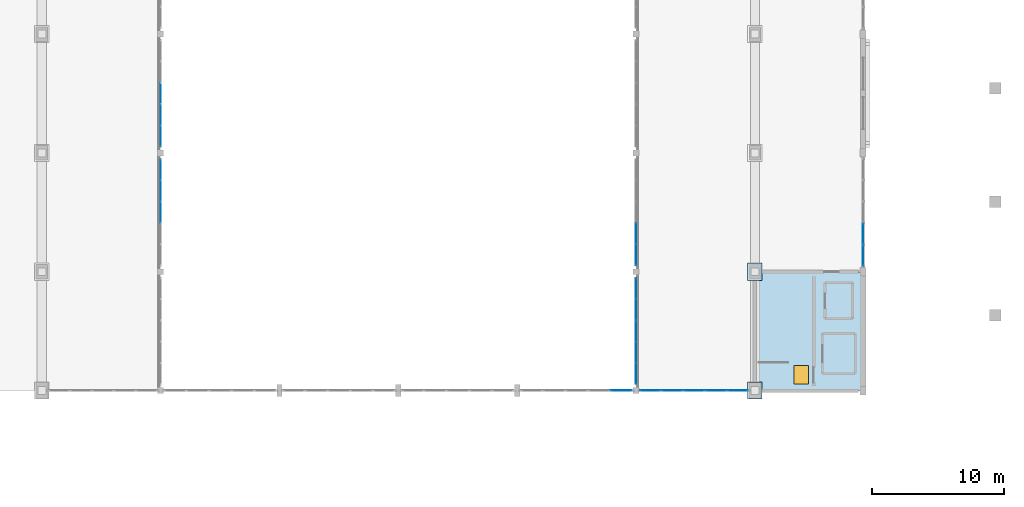
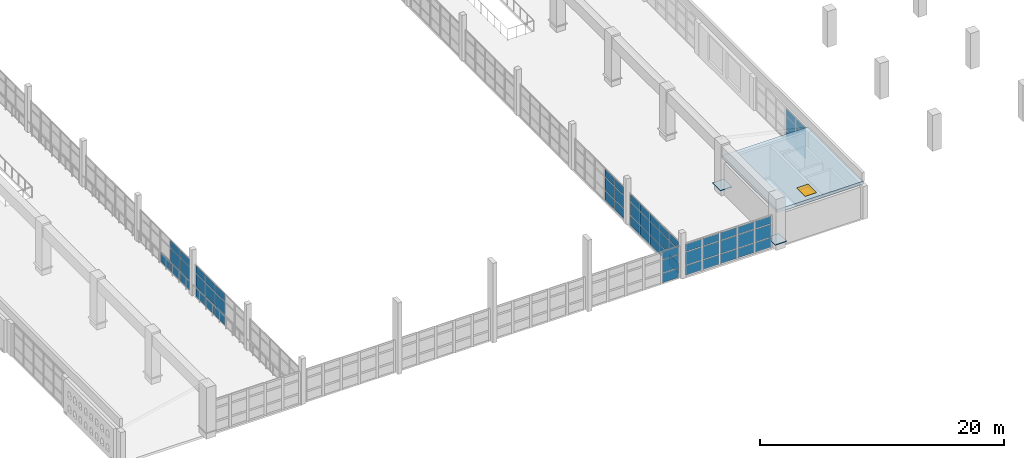
# One storey, part 57 of 80: 63 plates, 1 door, 1 slab, 1 opening, 7 elements without a shape of their own.
"""IFC4 building model written with IfcOpenShell, lengths in metres."""

from ifc_helpers import new_model, si_unit, direction, frame, origin, origin_2d, place, context, subcontext, project, spatial, polyline, rectangle, outline, extrude, material, layer, layer_set, type_object, element, fill, aggregate, save


model = new_model("IFC4")

# Units and contexts
model_context = context("Model", 3, precision=1e-05, world=origin(), true_north=direction((0.0, 1.0)))
body_context = subcontext(model_context, "Body", "Model", "MODEL_VIEW")
ifc_project = project(units=[si_unit("LENGTHUNIT", "METRE"), si_unit("AREAUNIT", "SQUARE_METRE"), si_unit("VOLUMEUNIT", "CUBIC_METRE"), si_unit("PLANEANGLEUNIT", "RADIAN"), si_unit("MASSUNIT", "GRAM", prefix="KILO")], contexts=[model_context])

# Site, building, storey
site_placement = place(None, origin())
site = spatial("IfcSite", under=ifc_project, at=site_placement, CompositionType="ELEMENT")
building_placement = place(site_placement, origin())
building = spatial("IfcBuilding", under=site, at=building_placement, Name="Ornek Quay Market", CompositionType="ELEMENT")
storey_placement = place(building_placement, frame((0.0, 0.0, 8.39990234375)))
storey = spatial("IfcBuildingStorey", under=building, at=storey_placement, Name="L02", CompositionType="ELEMENT", Elevation=8.39990234375)

# Plates
ifc_material_1 = material(Name="Steel S355", Category="steel")
ifc_layer_1 = layer(ifc_material_1, 1.300048828125, Name="Steel S355", Category="steel")
ifc_layer_set_1 = layer_set([ifc_layer_1], Name="Steel S355")
plate_type_1 = type_object("IfcPlateType", Name="PL-ARCH-SHOE-1100x1300x50", PredefinedType="SHEET", material=ifc_layer_set_1)
for number, where, z_axis, x_axis, name in (
    (1, (117.0, 29.0, 0.60009765625), (0.0, 0.0, 1.0), (1.0, 0.0, 0.0), "Arch bearing plate Grid D-E"),
    (2, (117.0, 38.0, 0.60009765625), (0.0, 0.0, 1.0), (1.0, 0.0, 0.0), "Arch bearing plate Grid E-E"),
):
    element("IfcPlate", number, at=place(storey_placement, frame(where, z_axis=z_axis, x_axis=x_axis)), inside=storey, type_object=plate_type_1, Name=name, PredefinedType="SHEET", context=body_context, shape_type="SweptSolid", body=[
        extrude(rectangle(XDim=1.10009765625, YDim=1.300048828125, at=origin_2d()), origin(), (0.0, 0.0, 1.0), 0.050048828125),
    ])

# Curtain wall, plates
ifc_material_2 = material(Name="Anodised bronze aluminium and triple low-e glass", Category="aluminium")
ifc_layer_2 = layer(ifc_material_2, 0.139892578125, Name="Anodised bronze aluminium and triple low-e glass", Category="aluminium")
ifc_layer_set_2 = layer_set([ifc_layer_2], Name="Anodised bronze aluminium and triple low-e glass")
curtain_wall_type_1 = type_object("IfcCurtainWallType", Name="CW-GALLERY-INT", PredefinedType="USERDEFINED", material=ifc_layer_set_2)
curtain_wall_1_placement = place(storey_placement, origin())
curtain_wall_1 = element("IfcCurtainWall", 3, at=curtain_wall_1_placement, inside=storey, type_object=curtain_wall_type_1, Name="Curtain wall CW-110", ObjectType="CURTAIN WALL", PredefinedType="USERDEFINED")
ifc_material_3 = material(Name="Toughened laminated acoustic glass", Category="glass")
ifc_layer_3 = layer(ifc_material_3, 0.01611328125, Name="Toughened laminated acoustic glass", Category="glass")
ifc_layer_set_3 = layer_set([ifc_layer_3], Name="Toughened laminated acoustic glass")
plate_type_2 = type_object("IfcPlateType", Name="PL-CW-INT-16", PredefinedType="CURTAIN_PANEL", material=ifc_layer_set_3)
plate_1_placement = place(storey_placement, frame((72.0, 42.5, 0.06005859375), z_axis=(0.0, 0.0, 1.0), x_axis=(0.0, 1.0, 0.0)))
plate_1 = element("IfcPlate", 4, at=plate_1_placement, type_object=plate_type_2, Name="CW-110 panel 3.1", PredefinedType="CURTAIN_PANEL", context=body_context, shape_type="SweptSolid", body=[
    extrude(rectangle(XDim=1.56005859375, YDim=0.01611328125, at=origin_2d()), origin(), (0.0, 0.0, 1.0), 0.9599609375),
])
plate_2_placement = place(storey_placement, frame((72.0, 42.5, 1.080078125), z_axis=(0.0, 0.0, 1.0), x_axis=(0.0, 1.0, 0.0)))
plate_2 = element("IfcPlate", 5, at=plate_2_placement, type_object=plate_type_2, Name="CW-110 panel 3.2", PredefinedType="CURTAIN_PANEL", context=body_context, shape_type="SweptSolid", body=[
    extrude(rectangle(XDim=1.56005859375, YDim=0.01611328125, at=origin_2d()), origin(), (0.0, 0.0, 1.0), 1.2900390625),
])
plate_3_placement = place(storey_placement, frame((72.0, 42.5, 2.43017578125), z_axis=(0.0, 0.0, 1.0), x_axis=(0.0, 1.0, 0.0)))
plate_3 = element("IfcPlate", 6, at=plate_3_placement, type_object=plate_type_2, Name="CW-110 panel 3.3", PredefinedType="CURTAIN_PANEL", context=body_context, shape_type="SweptSolid", body=[
    extrude(rectangle(XDim=1.56005859375, YDim=0.01611328125, at=origin_2d()), origin(), (0.0, 0.0, 1.0), 0.760009765625),
])
plate_4_placement = place(storey_placement, frame((72.0, 44.1201171875, 0.06005859375), z_axis=(0.0, 0.0, 1.0), x_axis=(0.0, 1.0, 0.0)))
plate_4 = element("IfcPlate", 7, at=plate_4_placement, type_object=plate_type_2, Name="CW-110 panel 4.1", PredefinedType="CURTAIN_PANEL", context=body_context, shape_type="SweptSolid", body=[
    extrude(rectangle(XDim=1.56005859375, YDim=0.01611328125, at=origin_2d()), origin(), (0.0, 0.0, 1.0), 0.9599609375),
])
plate_5_placement = place(storey_placement, frame((72.0, 44.1201171875, 1.080078125), z_axis=(0.0, 0.0, 1.0), x_axis=(0.0, 1.0, 0.0)))
plate_5 = element("IfcPlate", 8, at=plate_5_placement, type_object=plate_type_2, Name="CW-110 panel 4.2", PredefinedType="CURTAIN_PANEL", context=body_context, shape_type="SweptSolid", body=[
    extrude(rectangle(XDim=1.56005859375, YDim=0.01611328125, at=origin_2d()), origin(), (0.0, 0.0, 1.0), 1.2900390625),
])
plate_6_placement = place(storey_placement, frame((72.0, 44.1201171875, 2.43017578125), z_axis=(0.0, 0.0, 1.0), x_axis=(0.0, 1.0, 0.0)))
plate_6 = element("IfcPlate", 9, at=plate_6_placement, type_object=plate_type_2, Name="CW-110 panel 4.3", PredefinedType="CURTAIN_PANEL", context=body_context, shape_type="SweptSolid", body=[
    extrude(rectangle(XDim=1.56005859375, YDim=0.01611328125, at=origin_2d()), origin(), (0.0, 0.0, 1.0), 0.760009765625),
])
plate_7_placement = place(storey_placement, frame((72.0, 45.72509765625, 0.06005859375), z_axis=(0.0, 0.0, 1.0), x_axis=(0.0, 1.0, 0.0)))
plate_7 = element("IfcPlate", 10, at=plate_7_placement, type_object=plate_type_2, Name="CW-110 panel 5.1", PredefinedType="CURTAIN_PANEL", context=body_context, shape_type="SweptSolid", body=[
    extrude(rectangle(XDim=1.530029296875, YDim=0.01611328125, at=origin_2d()), origin(), (0.0, 0.0, 1.0), 0.9599609375),
])
plate_8_placement = place(storey_placement, frame((72.0, 45.72509765625, 1.080078125), z_axis=(0.0, 0.0, 1.0), x_axis=(0.0, 1.0, 0.0)))
plate_8 = element("IfcPlate", 11, at=plate_8_placement, type_object=plate_type_2, Name="CW-110 panel 5.2", PredefinedType="CURTAIN_PANEL", context=body_context, shape_type="SweptSolid", body=[
    extrude(rectangle(XDim=1.530029296875, YDim=0.01611328125, at=origin_2d()), origin(), (0.0, 0.0, 1.0), 1.2900390625),
])
plate_9_placement = place(storey_placement, frame((72.0, 45.72509765625, 2.43017578125), z_axis=(0.0, 0.0, 1.0), x_axis=(0.0, 1.0, 0.0)))
plate_9 = element("IfcPlate", 12, at=plate_9_placement, type_object=plate_type_2, Name="CW-110 panel 5.3", PredefinedType="CURTAIN_PANEL", context=body_context, shape_type="SweptSolid", body=[
    extrude(rectangle(XDim=1.530029296875, YDim=0.01611328125, at=origin_2d()), origin(), (0.0, 0.0, 1.0), 0.760009765625),
])
aggregate(curtain_wall_1, [plate_1, plate_2, plate_3, plate_4, plate_5, plate_6, plate_7, plate_8, plate_9])

curtain_wall_2_placement = place(storey_placement, origin())
curtain_wall_2 = element("IfcCurtainWall", 13, at=curtain_wall_2_placement, inside=storey, type_object=curtain_wall_type_1, Name="Curtain wall CW-111", ObjectType="CURTAIN WALL", PredefinedType="USERDEFINED")
plate_10_placement = place(storey_placement, frame((72.0, 48.27490234375, 0.06005859375), z_axis=(0.0, 0.0, 1.0), x_axis=(0.0, 1.0, 0.0)))
plate_10 = element("IfcPlate", 14, at=plate_10_placement, type_object=plate_type_2, Name="CW-111 panel 1.1", PredefinedType="CURTAIN_PANEL", context=body_context, shape_type="SweptSolid", body=[
    extrude(rectangle(XDim=1.530029296875, YDim=0.01611328125, at=origin_2d()), origin(), (0.0, 0.0, 1.0), 0.9599609375),
])
plate_11_placement = place(storey_placement, frame((72.0, 48.27490234375, 1.080078125), z_axis=(0.0, 0.0, 1.0), x_axis=(0.0, 1.0, 0.0)))
plate_11 = element("IfcPlate", 15, at=plate_11_placement, type_object=plate_type_2, Name="CW-111 panel 1.2", PredefinedType="CURTAIN_PANEL", context=body_context, shape_type="SweptSolid", body=[
    extrude(rectangle(XDim=1.530029296875, YDim=0.01611328125, at=origin_2d()), origin(), (0.0, 0.0, 1.0), 1.2900390625),
])
plate_12_placement = place(storey_placement, frame((72.0, 48.27490234375, 2.43017578125), z_axis=(0.0, 0.0, 1.0), x_axis=(0.0, 1.0, 0.0)))
plate_12 = element("IfcPlate", 16, at=plate_12_placement, type_object=plate_type_2, Name="CW-111 panel 1.3", PredefinedType="CURTAIN_PANEL", context=body_context, shape_type="SweptSolid", body=[
    extrude(rectangle(XDim=1.530029296875, YDim=0.01611328125, at=origin_2d()), origin(), (0.0, 0.0, 1.0), 0.760009765625),
])
plate_13_placement = place(storey_placement, frame((72.0, 49.8798828125, 0.06005859375), z_axis=(0.0, 0.0, 1.0), x_axis=(0.0, 1.0, 0.0)))
plate_13 = element("IfcPlate", 17, at=plate_13_placement, type_object=plate_type_2, Name="CW-111 panel 2.1", PredefinedType="CURTAIN_PANEL", context=body_context, shape_type="SweptSolid", body=[
    extrude(rectangle(XDim=1.56005859375, YDim=0.01611328125, at=origin_2d()), origin(), (0.0, 0.0, 1.0), 0.9599609375),
])
plate_14_placement = place(storey_placement, frame((72.0, 49.8798828125, 1.080078125), z_axis=(0.0, 0.0, 1.0), x_axis=(0.0, 1.0, 0.0)))
plate_14 = element("IfcPlate", 18, at=plate_14_placement, type_object=plate_type_2, Name="CW-111 panel 2.2", PredefinedType="CURTAIN_PANEL", context=body_context, shape_type="SweptSolid", body=[
    extrude(rectangle(XDim=1.56005859375, YDim=0.01611328125, at=origin_2d()), origin(), (0.0, 0.0, 1.0), 1.2900390625),
])
plate_15_placement = place(storey_placement, frame((72.0, 49.8798828125, 2.43017578125), z_axis=(0.0, 0.0, 1.0), x_axis=(0.0, 1.0, 0.0)))
plate_15 = element("IfcPlate", 19, at=plate_15_placement, type_object=plate_type_2, Name="CW-111 panel 2.3", PredefinedType="CURTAIN_PANEL", context=body_context, shape_type="SweptSolid", body=[
    extrude(rectangle(XDim=1.56005859375, YDim=0.01611328125, at=origin_2d()), origin(), (0.0, 0.0, 1.0), 0.760009765625),
])
plate_16_placement = place(storey_placement, frame((72.0, 51.5, 0.06005859375), z_axis=(0.0, 0.0, 1.0), x_axis=(0.0, 1.0, 0.0)))
plate_16 = element("IfcPlate", 20, at=plate_16_placement, type_object=plate_type_2, Name="CW-111 panel 3.1", PredefinedType="CURTAIN_PANEL", context=body_context, shape_type="SweptSolid", body=[
    extrude(rectangle(XDim=1.56005859375, YDim=0.01611328125, at=origin_2d()), origin(), (0.0, 0.0, 1.0), 0.9599609375),
])
aggregate(curtain_wall_2, [plate_10, plate_11, plate_12, plate_13, plate_14, plate_15, plate_16])

curtain_wall_3_placement = place(storey_placement, origin())
curtain_wall_3 = element("IfcCurtainWall", 21, at=curtain_wall_3_placement, inside=storey, type_object=curtain_wall_type_1, Name="Curtain wall CW-115", ObjectType="CURTAIN WALL", PredefinedType="USERDEFINED")
plate_17_placement = place(storey_placement, frame((108.0, 30.27490234375, 0.06005859375), z_axis=(0.0, 0.0, 1.0), x_axis=(0.0, 1.0, 0.0)))
plate_17 = element("IfcPlate", 22, at=plate_17_placement, type_object=plate_type_2, Name="CW-115 panel 1.1", PredefinedType="CURTAIN_PANEL", context=body_context, shape_type="SweptSolid", body=[
    extrude(rectangle(XDim=1.530029296875, YDim=0.01611328125, at=origin_2d()), origin(), (0.0, 0.0, 1.0), 0.9599609375),
])
plate_18_placement = place(storey_placement, frame((108.0, 30.27490234375, 1.080078125), z_axis=(0.0, 0.0, 1.0), x_axis=(0.0, 1.0, 0.0)))
plate_18 = element("IfcPlate", 23, at=plate_18_placement, type_object=plate_type_2, Name="CW-115 panel 1.2", PredefinedType="CURTAIN_PANEL", context=body_context, shape_type="SweptSolid", body=[
    extrude(rectangle(XDim=1.530029296875, YDim=0.01611328125, at=origin_2d()), origin(), (0.0, 0.0, 1.0), 1.2900390625),
])
plate_19_placement = place(storey_placement, frame((108.0, 30.27490234375, 2.43017578125), z_axis=(0.0, 0.0, 1.0), x_axis=(0.0, 1.0, 0.0)))
plate_19 = element("IfcPlate", 24, at=plate_19_placement, type_object=plate_type_2, Name="CW-115 panel 1.3", PredefinedType="CURTAIN_PANEL", context=body_context, shape_type="SweptSolid", body=[
    extrude(rectangle(XDim=1.530029296875, YDim=0.01611328125, at=origin_2d()), origin(), (0.0, 0.0, 1.0), 0.760009765625),
])
plate_20_placement = place(storey_placement, frame((108.0, 31.8798828125, 0.06005859375), z_axis=(0.0, 0.0, 1.0), x_axis=(0.0, 1.0, 0.0)))
plate_20 = element("IfcPlate", 25, at=plate_20_placement, type_object=plate_type_2, Name="CW-115 panel 2.1", PredefinedType="CURTAIN_PANEL", context=body_context, shape_type="SweptSolid", body=[
    extrude(rectangle(XDim=1.56005859375, YDim=0.01611328125, at=origin_2d()), origin(), (0.0, 0.0, 1.0), 0.9599609375),
])
plate_21_placement = place(storey_placement, frame((108.0, 31.8798828125, 1.080078125), z_axis=(0.0, 0.0, 1.0), x_axis=(0.0, 1.0, 0.0)))
plate_21 = element("IfcPlate", 26, at=plate_21_placement, type_object=plate_type_2, Name="CW-115 panel 2.2", PredefinedType="CURTAIN_PANEL", context=body_context, shape_type="SweptSolid", body=[
    extrude(rectangle(XDim=1.56005859375, YDim=0.01611328125, at=origin_2d()), origin(), (0.0, 0.0, 1.0), 1.2900390625),
])
plate_22_placement = place(storey_placement, frame((108.0, 31.8798828125, 2.43017578125), z_axis=(0.0, 0.0, 1.0), x_axis=(0.0, 1.0, 0.0)))
plate_22 = element("IfcPlate", 27, at=plate_22_placement, type_object=plate_type_2, Name="CW-115 panel 2.3", PredefinedType="CURTAIN_PANEL", context=body_context, shape_type="SweptSolid", body=[
    extrude(rectangle(XDim=1.56005859375, YDim=0.01611328125, at=origin_2d()), origin(), (0.0, 0.0, 1.0), 0.760009765625),
])
plate_23_placement = place(storey_placement, frame((108.0, 33.5, 0.06005859375), z_axis=(0.0, 0.0, 1.0), x_axis=(0.0, 1.0, 0.0)))
plate_23 = element("IfcPlate", 28, at=plate_23_placement, type_object=plate_type_2, Name="CW-115 panel 3.1", PredefinedType="CURTAIN_PANEL", context=body_context, shape_type="SweptSolid", body=[
    extrude(rectangle(XDim=1.56005859375, YDim=0.01611328125, at=origin_2d()), origin(), (0.0, 0.0, 1.0), 0.9599609375),
])
plate_24_placement = place(storey_placement, frame((108.0, 33.5, 1.080078125), z_axis=(0.0, 0.0, 1.0), x_axis=(0.0, 1.0, 0.0)))
plate_24 = element("IfcPlate", 29, at=plate_24_placement, type_object=plate_type_2, Name="CW-115 panel 3.2", PredefinedType="CURTAIN_PANEL", context=body_context, shape_type="SweptSolid", body=[
    extrude(rectangle(XDim=1.56005859375, YDim=0.01611328125, at=origin_2d()), origin(), (0.0, 0.0, 1.0), 1.2900390625),
])
plate_25_placement = place(storey_placement, frame((108.0, 33.5, 2.43017578125), z_axis=(0.0, 0.0, 1.0), x_axis=(0.0, 1.0, 0.0)))
plate_25 = element("IfcPlate", 30, at=plate_25_placement, type_object=plate_type_2, Name="CW-115 panel 3.3", PredefinedType="CURTAIN_PANEL", context=body_context, shape_type="SweptSolid", body=[
    extrude(rectangle(XDim=1.56005859375, YDim=0.01611328125, at=origin_2d()), origin(), (0.0, 0.0, 1.0), 0.760009765625),
])
plate_26_placement = place(storey_placement, frame((108.0, 35.1201171875, 0.06005859375), z_axis=(0.0, 0.0, 1.0), x_axis=(0.0, 1.0, 0.0)))
plate_26 = element("IfcPlate", 31, at=plate_26_placement, type_object=plate_type_2, Name="CW-115 panel 4.1", PredefinedType="CURTAIN_PANEL", context=body_context, shape_type="SweptSolid", body=[
    extrude(rectangle(XDim=1.56005859375, YDim=0.01611328125, at=origin_2d()), origin(), (0.0, 0.0, 1.0), 0.9599609375),
])
plate_27_placement = place(storey_placement, frame((108.0, 35.1201171875, 1.080078125), z_axis=(0.0, 0.0, 1.0), x_axis=(0.0, 1.0, 0.0)))
plate_27 = element("IfcPlate", 32, at=plate_27_placement, type_object=plate_type_2, Name="CW-115 panel 4.2", PredefinedType="CURTAIN_PANEL", context=body_context, shape_type="SweptSolid", body=[
    extrude(rectangle(XDim=1.56005859375, YDim=0.01611328125, at=origin_2d()), origin(), (0.0, 0.0, 1.0), 1.2900390625),
])
plate_28_placement = place(storey_placement, frame((108.0, 35.1201171875, 2.43017578125), z_axis=(0.0, 0.0, 1.0), x_axis=(0.0, 1.0, 0.0)))
plate_28 = element("IfcPlate", 33, at=plate_28_placement, type_object=plate_type_2, Name="CW-115 panel 4.3", PredefinedType="CURTAIN_PANEL", context=body_context, shape_type="SweptSolid", body=[
    extrude(rectangle(XDim=1.56005859375, YDim=0.01611328125, at=origin_2d()), origin(), (0.0, 0.0, 1.0), 0.760009765625),
])
plate_29_placement = place(storey_placement, frame((108.0, 36.72509765625, 0.06005859375), z_axis=(0.0, 0.0, 1.0), x_axis=(0.0, 1.0, 0.0)))
plate_29 = element("IfcPlate", 34, at=plate_29_placement, type_object=plate_type_2, Name="CW-115 panel 5.1", PredefinedType="CURTAIN_PANEL", context=body_context, shape_type="SweptSolid", body=[
    extrude(rectangle(XDim=1.530029296875, YDim=0.01611328125, at=origin_2d()), origin(), (0.0, 0.0, 1.0), 0.9599609375),
])
plate_30_placement = place(storey_placement, frame((108.0, 36.72509765625, 1.080078125), z_axis=(0.0, 0.0, 1.0), x_axis=(0.0, 1.0, 0.0)))
plate_30 = element("IfcPlate", 35, at=plate_30_placement, type_object=plate_type_2, Name="CW-115 panel 5.2", PredefinedType="CURTAIN_PANEL", context=body_context, shape_type="SweptSolid", body=[
    extrude(rectangle(XDim=1.530029296875, YDim=0.01611328125, at=origin_2d()), origin(), (0.0, 0.0, 1.0), 1.2900390625),
])
plate_31_placement = place(storey_placement, frame((108.0, 36.72509765625, 2.43017578125), z_axis=(0.0, 0.0, 1.0), x_axis=(0.0, 1.0, 0.0)))
plate_31 = element("IfcPlate", 36, at=plate_31_placement, type_object=plate_type_2, Name="CW-115 panel 5.3", PredefinedType="CURTAIN_PANEL", context=body_context, shape_type="SweptSolid", body=[
    extrude(rectangle(XDim=1.530029296875, YDim=0.01611328125, at=origin_2d()), origin(), (0.0, 0.0, 1.0), 0.760009765625),
])
aggregate(curtain_wall_3, [plate_17, plate_18, plate_19, plate_20, plate_21, plate_22, plate_23, plate_24, plate_25, plate_26, plate_27, plate_28, plate_29, plate_30, plate_31])

curtain_wall_4_placement = place(storey_placement, origin())
curtain_wall_4 = element("IfcCurtainWall", 37, at=curtain_wall_4_placement, inside=storey, type_object=curtain_wall_type_1, Name="Curtain wall CW-116", ObjectType="CURTAIN WALL", PredefinedType="USERDEFINED")
plate_32_placement = place(storey_placement, frame((108.0, 39.27490234375, 0.06005859375), z_axis=(0.0, 0.0, 1.0), x_axis=(0.0, 1.0, 0.0)))
plate_32 = element("IfcPlate", 38, at=plate_32_placement, type_object=plate_type_2, Name="CW-116 panel 1.1", PredefinedType="CURTAIN_PANEL", context=body_context, shape_type="SweptSolid", body=[
    extrude(rectangle(XDim=1.530029296875, YDim=0.01611328125, at=origin_2d()), origin(), (0.0, 0.0, 1.0), 0.9599609375),
])
plate_33_placement = place(storey_placement, frame((108.0, 39.27490234375, 1.080078125), z_axis=(0.0, 0.0, 1.0), x_axis=(0.0, 1.0, 0.0)))
plate_33 = element("IfcPlate", 39, at=plate_33_placement, type_object=plate_type_2, Name="CW-116 panel 1.2", PredefinedType="CURTAIN_PANEL", context=body_context, shape_type="SweptSolid", body=[
    extrude(rectangle(XDim=1.530029296875, YDim=0.01611328125, at=origin_2d()), origin(), (0.0, 0.0, 1.0), 1.2900390625),
])
plate_34_placement = place(storey_placement, frame((108.0, 39.27490234375, 2.43017578125), z_axis=(0.0, 0.0, 1.0), x_axis=(0.0, 1.0, 0.0)))
plate_34 = element("IfcPlate", 40, at=plate_34_placement, type_object=plate_type_2, Name="CW-116 panel 1.3", PredefinedType="CURTAIN_PANEL", context=body_context, shape_type="SweptSolid", body=[
    extrude(rectangle(XDim=1.530029296875, YDim=0.01611328125, at=origin_2d()), origin(), (0.0, 0.0, 1.0), 0.760009765625),
])
plate_35_placement = place(storey_placement, frame((108.0, 40.8798828125, 0.06005859375), z_axis=(0.0, 0.0, 1.0), x_axis=(0.0, 1.0, 0.0)))
plate_35 = element("IfcPlate", 41, at=plate_35_placement, type_object=plate_type_2, Name="CW-116 panel 2.1", PredefinedType="CURTAIN_PANEL", context=body_context, shape_type="SweptSolid", body=[
    extrude(rectangle(XDim=1.56005859375, YDim=0.01611328125, at=origin_2d()), origin(), (0.0, 0.0, 1.0), 0.9599609375),
])
plate_36_placement = place(storey_placement, frame((108.0, 40.8798828125, 1.080078125), z_axis=(0.0, 0.0, 1.0), x_axis=(0.0, 1.0, 0.0)))
plate_36 = element("IfcPlate", 42, at=plate_36_placement, type_object=plate_type_2, Name="CW-116 panel 2.2", PredefinedType="CURTAIN_PANEL", context=body_context, shape_type="SweptSolid", body=[
    extrude(rectangle(XDim=1.56005859375, YDim=0.01611328125, at=origin_2d()), origin(), (0.0, 0.0, 1.0), 1.2900390625),
])
plate_37_placement = place(storey_placement, frame((108.0, 40.8798828125, 2.43017578125), z_axis=(0.0, 0.0, 1.0), x_axis=(0.0, 1.0, 0.0)))
plate_37 = element("IfcPlate", 43, at=plate_37_placement, type_object=plate_type_2, Name="CW-116 panel 2.3", PredefinedType="CURTAIN_PANEL", context=body_context, shape_type="SweptSolid", body=[
    extrude(rectangle(XDim=1.56005859375, YDim=0.01611328125, at=origin_2d()), origin(), (0.0, 0.0, 1.0), 0.760009765625),
])
aggregate(curtain_wall_4, [plate_32, plate_33, plate_34, plate_35, plate_36, plate_37])

ifc_layer_4 = layer(ifc_material_2, 0.239990234375, Name="Anodised bronze aluminium and triple low-e glass", Category="aluminium")
ifc_layer_set_4 = layer_set([ifc_layer_4], Name="Anodised bronze aluminium and triple low-e glass")
curtain_wall_type_2 = type_object("IfcCurtainWallType", Name="CW-GAB-MOD1800", PredefinedType="USERDEFINED", material=ifc_layer_set_4)
curtain_wall_5_placement = place(storey_placement, origin())
curtain_wall_5 = element("IfcCurtainWall", 44, at=curtain_wall_5_placement, inside=storey, type_object=curtain_wall_type_2, Name="Curtain wall CW-060", ObjectType="CURTAIN WALL", PredefinedType="USERDEFINED")
ifc_material_4 = material(Name="Triple insulated low-e glass", Category="glass")
ifc_layer_5 = layer(ifc_material_4, 0.0419921875, Name="Triple insulated low-e glass", Category="glass")
ifc_layer_set_5 = layer_set([ifc_layer_5], Name="Triple insulated low-e glass")
plate_type_3 = type_object("IfcPlateType", Name="PL-CW-TRIPLE-42", PredefinedType="CURTAIN_PANEL", material=ifc_layer_set_5)
plate_38_placement = place(storey_placement, frame((125.199951171875, 39.237548828125, 0.06982421875), z_axis=(0.0, 0.0, 1.0), x_axis=(0.0, 1.0, 0.0)))
plate_38 = element("IfcPlate", 45, at=plate_38_placement, type_object=plate_type_3, Name="CW-060 panel 1.1", PredefinedType="CURTAIN_PANEL", context=body_context, shape_type="SweptSolid", body=[
    extrude(rectangle(XDim=1.534912109375, YDim=0.0419921875, at=origin_2d()), origin(), (0.0, 0.0, 1.0), 0.945068359375),
])
plate_39_placement = place(storey_placement, frame((125.199951171875, 39.237548828125, 1.0849609375), z_axis=(0.0, 0.0, 1.0), x_axis=(0.0, 1.0, 0.0)))
plate_39 = element("IfcPlate", 46, at=plate_39_placement, type_object=plate_type_3, Name="CW-060 panel 1.2", PredefinedType="CURTAIN_PANEL", context=body_context, shape_type="SweptSolid", body=[
    extrude(rectangle(XDim=1.534912109375, YDim=0.0419921875, at=origin_2d()), origin(), (0.0, 0.0, 1.0), 1.320068359375),
])
plate_40_placement = place(storey_placement, frame((125.199951171875, 39.237548828125, 2.47509765625), z_axis=(0.0, 0.0, 1.0), x_axis=(0.0, 1.0, 0.0)))
plate_40 = element("IfcPlate", 47, at=plate_40_placement, type_object=plate_type_3, Name="CW-060 panel 1.3", PredefinedType="CURTAIN_PANEL", context=body_context, shape_type="SweptSolid", body=[
    extrude(rectangle(XDim=1.534912109375, YDim=0.0419921875, at=origin_2d()), origin(), (0.0, 0.0, 1.0), 0.7451171875),
])
plate_41_placement = place(storey_placement, frame((125.199951171875, 40.860107421875, 0.06982421875), z_axis=(0.0, 0.0, 1.0), x_axis=(0.0, 1.0, 0.0)))
plate_41 = element("IfcPlate", 48, at=plate_41_placement, type_object=plate_type_3, Name="CW-060 panel 2.1", PredefinedType="CURTAIN_PANEL", context=body_context, shape_type="SweptSolid", body=[
    extrude(rectangle(XDim=1.570068359375, YDim=0.0419921875, at=origin_2d()), origin(), (0.0, 0.0, 1.0), 0.945068359375),
])
plate_42_placement = place(storey_placement, frame((125.199951171875, 40.860107421875, 1.0849609375), z_axis=(0.0, 0.0, 1.0), x_axis=(0.0, 1.0, 0.0)))
plate_42 = element("IfcPlate", 49, at=plate_42_placement, type_object=plate_type_3, Name="CW-060 panel 2.2", PredefinedType="CURTAIN_PANEL", context=body_context, shape_type="SweptSolid", body=[
    extrude(rectangle(XDim=1.570068359375, YDim=0.0419921875, at=origin_2d()), origin(), (0.0, 0.0, 1.0), 1.320068359375),
])
plate_43_placement = place(storey_placement, frame((125.199951171875, 40.860107421875, 2.47509765625), z_axis=(0.0, 0.0, 1.0), x_axis=(0.0, 1.0, 0.0)))
plate_43 = element("IfcPlate", 50, at=plate_43_placement, type_object=plate_type_3, Name="CW-060 panel 2.3", PredefinedType="CURTAIN_PANEL", context=body_context, shape_type="SweptSolid", body=[
    extrude(rectangle(XDim=1.570068359375, YDim=0.0419921875, at=origin_2d()), origin(), (0.0, 0.0, 1.0), 0.7451171875),
])
aggregate(curtain_wall_5, [plate_38, plate_39, plate_40, plate_41, plate_42, plate_43])

curtain_wall_6_placement = place(storey_placement, origin())
curtain_wall_6 = element("IfcCurtainWall", 51, at=curtain_wall_6_placement, inside=storey, type_object=curtain_wall_type_2, Name="Curtain wall CW-075", ObjectType="CURTAIN WALL", PredefinedType="USERDEFINED")
plate_44_placement = place(storey_placement, frame((106.89404296875, 29.0, 0.0751953125), z_axis=(0.0, 0.0, 1.0), x_axis=(1.0, 0.0, 0.0)))
plate_44 = element("IfcPlate", 52, at=plate_44_placement, type_object=plate_type_3, Name="CW-075 panel 5.1", PredefinedType="CURTAIN_PANEL", context=body_context, shape_type="SweptSolid", body=[
    extrude(rectangle(XDim=1.592041015625, YDim=0.0419921875, at=origin_2d()), origin(), (0.0, 0.0, 1.0), 0.9375),
])
plate_45_placement = place(storey_placement, frame((106.89404296875, 29.0, 1.087646484375), z_axis=(0.0, 0.0, 1.0), x_axis=(1.0, 0.0, 0.0)))
plate_45 = element("IfcPlate", 53, at=plate_45_placement, type_object=plate_type_3, Name="CW-075 panel 5.2", PredefinedType="CURTAIN_PANEL", context=body_context, shape_type="SweptSolid", body=[
    extrude(rectangle(XDim=1.592041015625, YDim=0.0419921875, at=origin_2d()), origin(), (0.0, 0.0, 1.0), 1.27490234375),
])
plate_46_placement = place(storey_placement, frame((106.89404296875, 29.0, 2.4375), z_axis=(0.0, 0.0, 1.0), x_axis=(1.0, 0.0, 0.0)))
plate_46 = element("IfcPlate", 54, at=plate_46_placement, type_object=plate_type_3, Name="CW-075 panel 5.3", PredefinedType="CURTAIN_PANEL", context=body_context, shape_type="SweptSolid", body=[
    extrude(rectangle(XDim=1.592041015625, YDim=0.0419921875, at=origin_2d()), origin(), (0.0, 0.0, 1.0), 0.737548828125),
])
aggregate(curtain_wall_6, [plate_44, plate_45, plate_46])

curtain_wall_7_placement = place(storey_placement, origin())
curtain_wall_7 = element("IfcCurtainWall", 55, at=curtain_wall_7_placement, inside=storey, type_object=curtain_wall_type_2, Name="Curtain wall CW-077", ObjectType="CURTAIN WALL", PredefinedType="USERDEFINED")
plate_47_placement = place(storey_placement, frame((109.0810546875, 29.0, 0.0751953125), z_axis=(0.0, 0.0, 1.0), x_axis=(1.0, 0.0, 0.0)))
plate_47 = element("IfcPlate", 56, at=plate_47_placement, type_object=plate_type_3, Name="CW-077 panel 1.1", PredefinedType="CURTAIN_PANEL", context=body_context, shape_type="SweptSolid", body=[
    extrude(rectangle(XDim=1.5419921875, YDim=0.0419921875, at=origin_2d()), origin(), (0.0, 0.0, 1.0), 0.9375),
])
plate_48_placement = place(storey_placement, frame((109.0810546875, 29.0, 1.087646484375), z_axis=(0.0, 0.0, 1.0), x_axis=(1.0, 0.0, 0.0)))
plate_48 = element("IfcPlate", 57, at=plate_48_placement, type_object=plate_type_3, Name="CW-077 panel 1.2", PredefinedType="CURTAIN_PANEL", context=body_context, shape_type="SweptSolid", body=[
    extrude(rectangle(XDim=1.5419921875, YDim=0.0419921875, at=origin_2d()), origin(), (0.0, 0.0, 1.0), 1.27490234375),
])
plate_49_placement = place(storey_placement, frame((109.0810546875, 29.0, 2.4375), z_axis=(0.0, 0.0, 1.0), x_axis=(1.0, 0.0, 0.0)))
plate_49 = element("IfcPlate", 58, at=plate_49_placement, type_object=plate_type_3, Name="CW-077 panel 1.3", PredefinedType="CURTAIN_PANEL", context=body_context, shape_type="SweptSolid", body=[
    extrude(rectangle(XDim=1.5419921875, YDim=0.0419921875, at=origin_2d()), origin(), (0.0, 0.0, 1.0), 0.737548828125),
])
plate_50_placement = place(storey_placement, frame((110.722900390625, 29.0, 0.0751953125), z_axis=(0.0, 0.0, 1.0), x_axis=(1.0, 0.0, 0.0)))
plate_50 = element("IfcPlate", 59, at=plate_50_placement, type_object=plate_type_3, Name="CW-077 panel 2.1", PredefinedType="CURTAIN_PANEL", context=body_context, shape_type="SweptSolid", body=[
    extrude(rectangle(XDim=1.58203125, YDim=0.0419921875, at=origin_2d()), origin(), (0.0, 0.0, 1.0), 0.9375),
])
plate_51_placement = place(storey_placement, frame((110.722900390625, 29.0, 1.087646484375), z_axis=(0.0, 0.0, 1.0), x_axis=(1.0, 0.0, 0.0)))
plate_51 = element("IfcPlate", 60, at=plate_51_placement, type_object=plate_type_3, Name="CW-077 panel 2.2", PredefinedType="CURTAIN_PANEL", context=body_context, shape_type="SweptSolid", body=[
    extrude(rectangle(XDim=1.58203125, YDim=0.0419921875, at=origin_2d()), origin(), (0.0, 0.0, 1.0), 1.27490234375),
])
plate_52_placement = place(storey_placement, frame((110.722900390625, 29.0, 2.4375), z_axis=(0.0, 0.0, 1.0), x_axis=(1.0, 0.0, 0.0)))
plate_52 = element("IfcPlate", 61, at=plate_52_placement, type_object=plate_type_3, Name="CW-077 panel 2.3", PredefinedType="CURTAIN_PANEL", context=body_context, shape_type="SweptSolid", body=[
    extrude(rectangle(XDim=1.58203125, YDim=0.0419921875, at=origin_2d()), origin(), (0.0, 0.0, 1.0), 0.737548828125),
])
plate_53_placement = place(storey_placement, frame((112.385009765625, 29.0, 0.0751953125), z_axis=(0.0, 0.0, 1.0), x_axis=(1.0, 0.0, 0.0)))
plate_53 = element("IfcPlate", 62, at=plate_53_placement, type_object=plate_type_3, Name="CW-077 panel 3.1", PredefinedType="CURTAIN_PANEL", context=body_context, shape_type="SweptSolid", body=[
    extrude(rectangle(XDim=1.58203125, YDim=0.0419921875, at=origin_2d()), origin(), (0.0, 0.0, 1.0), 0.9375),
])
plate_54_placement = place(storey_placement, frame((112.385009765625, 29.0, 1.087646484375), z_axis=(0.0, 0.0, 1.0), x_axis=(1.0, 0.0, 0.0)))
plate_54 = element("IfcPlate", 63, at=plate_54_placement, type_object=plate_type_3, Name="CW-077 panel 3.2", PredefinedType="CURTAIN_PANEL", context=body_context, shape_type="SweptSolid", body=[
    extrude(rectangle(XDim=1.58203125, YDim=0.0419921875, at=origin_2d()), origin(), (0.0, 0.0, 1.0), 1.27490234375),
])
plate_55_placement = place(storey_placement, frame((112.385009765625, 29.0, 2.4375), z_axis=(0.0, 0.0, 1.0), x_axis=(1.0, 0.0, 0.0)))
plate_55 = element("IfcPlate", 64, at=plate_55_placement, type_object=plate_type_3, Name="CW-077 panel 3.3", PredefinedType="CURTAIN_PANEL", context=body_context, shape_type="SweptSolid", body=[
    extrude(rectangle(XDim=1.58203125, YDim=0.0419921875, at=origin_2d()), origin(), (0.0, 0.0, 1.0), 0.737548828125),
])
plate_56_placement = place(storey_placement, frame((114.047119140625, 29.0, 0.0751953125), z_axis=(0.0, 0.0, 1.0), x_axis=(1.0, 0.0, 0.0)))
plate_56 = element("IfcPlate", 65, at=plate_56_placement, type_object=plate_type_3, Name="CW-077 panel 4.1", PredefinedType="CURTAIN_PANEL", context=body_context, shape_type="SweptSolid", body=[
    extrude(rectangle(XDim=1.58203125, YDim=0.0419921875, at=origin_2d()), origin(), (0.0, 0.0, 1.0), 0.9375),
])
plate_57_placement = place(storey_placement, frame((114.047119140625, 29.0, 1.087646484375), z_axis=(0.0, 0.0, 1.0), x_axis=(1.0, 0.0, 0.0)))
plate_57 = element("IfcPlate", 66, at=plate_57_placement, type_object=plate_type_3, Name="CW-077 panel 4.2", PredefinedType="CURTAIN_PANEL", context=body_context, shape_type="SweptSolid", body=[
    extrude(rectangle(XDim=1.58203125, YDim=0.0419921875, at=origin_2d()), origin(), (0.0, 0.0, 1.0), 1.27490234375),
])
plate_58_placement = place(storey_placement, frame((114.047119140625, 29.0, 2.4375), z_axis=(0.0, 0.0, 1.0), x_axis=(1.0, 0.0, 0.0)))
plate_58 = element("IfcPlate", 67, at=plate_58_placement, type_object=plate_type_3, Name="CW-077 panel 4.3", PredefinedType="CURTAIN_PANEL", context=body_context, shape_type="SweptSolid", body=[
    extrude(rectangle(XDim=1.58203125, YDim=0.0419921875, at=origin_2d()), origin(), (0.0, 0.0, 1.0), 0.737548828125),
])
plate_59_placement = place(storey_placement, frame((115.68896484375, 29.0, 0.0751953125), z_axis=(0.0, 0.0, 1.0), x_axis=(1.0, 0.0, 0.0)))
plate_59 = element("IfcPlate", 68, at=plate_59_placement, type_object=plate_type_3, Name="CW-077 panel 5.1", PredefinedType="CURTAIN_PANEL", context=body_context, shape_type="SweptSolid", body=[
    extrude(rectangle(XDim=1.5419921875, YDim=0.0419921875, at=origin_2d()), origin(), (0.0, 0.0, 1.0), 0.9375),
])
plate_60_placement = place(storey_placement, frame((115.68896484375, 29.0, 1.087646484375), z_axis=(0.0, 0.0, 1.0), x_axis=(1.0, 0.0, 0.0)))
plate_60 = element("IfcPlate", 69, at=plate_60_placement, type_object=plate_type_3, Name="CW-077 panel 5.2", PredefinedType="CURTAIN_PANEL", context=body_context, shape_type="SweptSolid", body=[
    extrude(rectangle(XDim=1.5419921875, YDim=0.0419921875, at=origin_2d()), origin(), (0.0, 0.0, 1.0), 1.27490234375),
])
plate_61_placement = place(storey_placement, frame((115.68896484375, 29.0, 2.4375), z_axis=(0.0, 0.0, 1.0), x_axis=(1.0, 0.0, 0.0)))
plate_61 = element("IfcPlate", 70, at=plate_61_placement, type_object=plate_type_3, Name="CW-077 panel 5.3", PredefinedType="CURTAIN_PANEL", context=body_context, shape_type="SweptSolid", body=[
    extrude(rectangle(XDim=1.5419921875, YDim=0.0419921875, at=origin_2d()), origin(), (0.0, 0.0, 1.0), 0.737548828125),
])
aggregate(curtain_wall_7, [plate_47, plate_48, plate_49, plate_50, plate_51, plate_52, plate_53, plate_54, plate_55, plate_56, plate_57, plate_58, plate_59, plate_60, plate_61])

# Slab, opening, door
ifc_material_5 = material(Name="Concrete C35/45", Category="concrete")
ifc_layer_6 = layer(ifc_material_5, 0.31005859375, Name="Concrete C35/45", Category="concrete")
ifc_layer_set_6 = layer_set([ifc_layer_6], Name="Concrete C35/45")
slab_type = type_object("IfcSlabType", Name="SL-RF-WING-310", PredefinedType="ROOF", material=ifc_layer_set_6)
slab_placement = place(storey_placement, frame((0.0, 0.0, 3.2900390625)))
slab = element("IfcSlab", 71, at=slab_placement, inside=storey, type_object=slab_type, Name="Slab S-058 (L02)", PredefinedType="ROOF", context=body_context, shape_type="SweptSolid", body=[
    extrude(outline(polyline([(117.0, 29.0), (125.199951171875, 29.0), (125.199951171875, 38.0), (117.0, 38.0), (117.0, 29.0)]), holes=[polyline([(119.949951171875, 29.5), (121.050048828125, 29.5), (121.050048828125, 30.89990234375), (119.949951171875, 30.89990234375), (119.949951171875, 29.5)])]), origin(), (0.0, 0.0, 1.0), 0.31005859375),
])
opening_placement = place(slab_placement, frame((120.5, 30.199951171875, -0.010009765625)))
opening = element("IfcOpeningElement", 72, at=opening_placement, cuts=slab, Name="Opening RH-04", PredefinedType="OPENING", context=body_context, shape_type="SweptSolid", body=[
    extrude(rectangle(XDim=1.10009765625, YDim=1.39990234375, at=origin_2d()), origin(), (0.0, 0.0, 1.0), 0.330078125),
])
ifc_material_6 = material(Name="Thermally broken aluminium roof access hatch", Category="aluminium")
door_type = type_object("IfcDoorType", Name="DR-HATCH-ROOF-1100x1400", OperationType="SINGLE_SWING_LEFT", PredefinedType="TRAPDOOR", material=ifc_material_6)
door_placement = place(opening_placement, frame((0.0, 0.0, 0.27001953125)))
door = element("IfcDoor", 73, at=door_placement, inside=storey, type_object=door_type, Name="Roof access hatch RH-04", OperationType="SINGLE_SWING_LEFT", OverallHeight=1.39990234375, OverallWidth=1.10009765625, PredefinedType="TRAPDOOR", context=body_context, shape_type="SweptSolid", body=[
    extrude(rectangle(XDim=1.10009765625, YDim=1.39990234375, at=origin_2d()), origin(), (0.0, 0.0, 1.0), 0.050048828125),
])
fill(opening, door)

save(model, "model.ifc")
